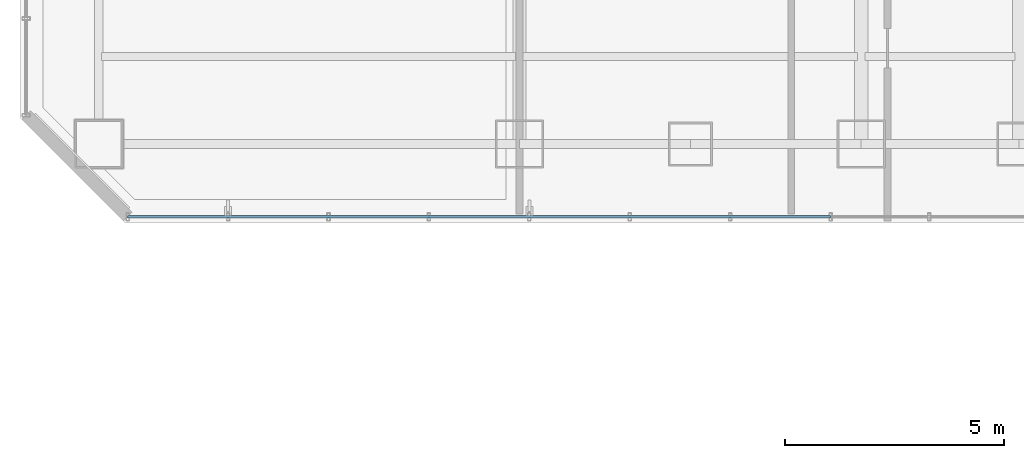
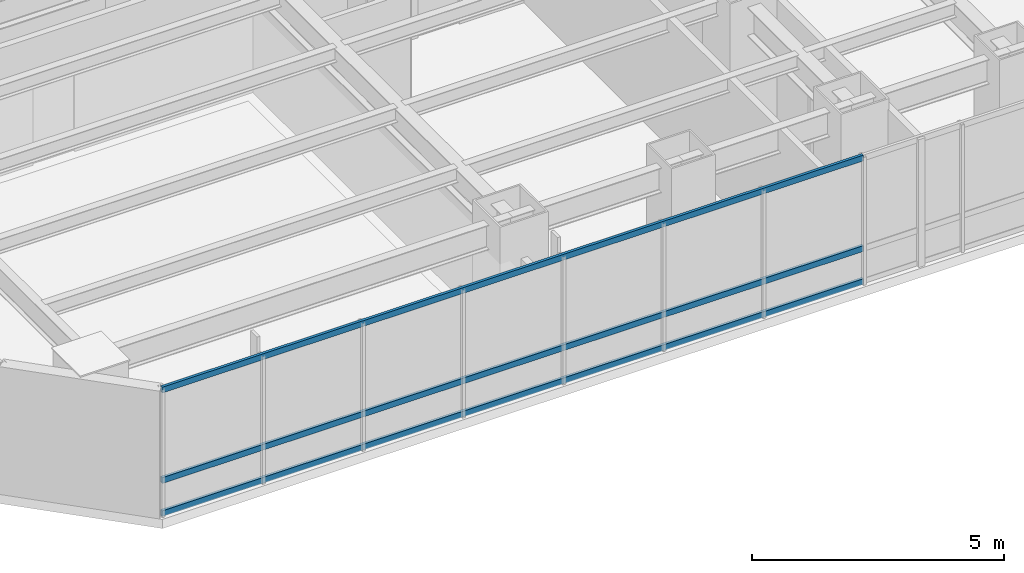
# One storey, part 3 of 39: 3 members, 1 element without a shape of its own.
"""IFC4 building model written with IfcOpenShell, lengths in metres."""

from ifc_helpers import new_model, si_unit, direction, frame, origin, origin_2d, place, context, subcontext, project, spatial, hollow_rectangle, extrude, material, layer, layer_set, material_profile, profile_set, type_object, element, aggregate, save


model = new_model("IFC4")

# Units and contexts
model_context = context("Model", 3, precision=1e-05, world=origin(), true_north=direction((0.0, 1.0)))
body_context = subcontext(model_context, "Body", "Model", "MODEL_VIEW")
ifc_project = project(units=[si_unit("LENGTHUNIT", "METRE"), si_unit("AREAUNIT", "SQUARE_METRE"), si_unit("VOLUMEUNIT", "CUBIC_METRE"), si_unit("PLANEANGLEUNIT", "RADIAN"), si_unit("MASSUNIT", "GRAM", prefix="KILO")], contexts=[model_context])

# Site, building, storey
site_placement = place(None, origin())
site = spatial("IfcSite", under=ifc_project, at=site_placement, CompositionType="ELEMENT")
building_placement = place(site_placement, origin())
building = spatial("IfcBuilding", under=site, at=building_placement, Name="Hatsunagi Terrace Concourse", CompositionType="ELEMENT")
storey_placement = place(building_placement, frame((0.0, 0.0, 66.75)))
storey = spatial("IfcBuildingStorey", under=building, at=storey_placement, Name="L17", CompositionType="ELEMENT", Elevation=66.75)

# Curtain wall, members
ifc_material_1 = material(Name="Anodised Aluminium Alloy 6063-T5", Category="aluminium")
ifc_layer = layer(ifc_material_1, 0.199951171875)
ifc_layer_set = layer_set([ifc_layer], Name="HotelFacade_CW02")
curtain_wall_type = type_object("IfcCurtainWallType", Name="HotelFacade_CW02", PredefinedType="NOTDEFINED", material=ifc_layer_set)
curtain_wall_placement = place(storey_placement, origin())
curtain_wall = element("IfcCurtainWall", 1, at=curtain_wall_placement, inside=storey, type_object=curtain_wall_type, Name="Unitised Curtain Wall CW-02 CW-L17-07", PredefinedType="NOTDEFINED")
ifc_material_2 = material(Name="Anodised Aluminium Alloy 6063-T5", Category="aluminium")
ifc_material_profile = material_profile(ifc_material_2, hollow_rectangle(XDim=0.06494140625, YDim=0.139892578125, WallThickness=0.00390625, at=origin_2d()), Name="ALU-TRN-140x65x4")
ifc_profile_set = profile_set([ifc_material_profile], Name="Anodised Aluminium Alloy 6063-T5")
member_type = type_object("IfcMemberType", Name="CurtainWallTransom_140x65", PredefinedType="USERDEFINED", material=ifc_profile_set)
member_1_placement = place(storey_placement, frame((18.5, 23.5400390625, 0.050048828125), z_axis=(-1.0, 0.0, 0.0), x_axis=(0.0, -1.0, 0.0)))
member_1 = element("IfcMember", 2, at=member_1_placement, type_object=member_type, Name="Curtain Wall Transom TRN-02", ObjectType="TRANSOM", PredefinedType="USERDEFINED", context=body_context, shape_type="SweptSolid", body=[
    extrude(hollow_rectangle(XDim=0.06494140625, YDim=0.139892578125, WallThickness=0.00390625, at=origin_2d()), origin(), (0.0, 0.0, 1.0), 16.0419921875),
])
member_2_placement = place(storey_placement, frame((18.5, 23.5400390625, 0.85009765625), z_axis=(-1.0, 0.0, 0.0), x_axis=(0.0, -1.0, 0.0)))
member_2 = element("IfcMember", 3, at=member_2_placement, type_object=member_type, Name="Curtain Wall Transom TRN-02", ObjectType="TRANSOM", PredefinedType="USERDEFINED", context=body_context, shape_type="SweptSolid", body=[
    extrude(hollow_rectangle(XDim=0.06494140625, YDim=0.139892578125, WallThickness=0.00390625, at=origin_2d()), origin(), (0.0, 0.0, 1.0), 16.0419921875),
])
member_3_placement = place(storey_placement, frame((18.5, 23.5400390625, 3.0400390625), z_axis=(-1.0, 0.0, 0.0), x_axis=(0.0, -1.0, 0.0)))
member_3 = element("IfcMember", 4, at=member_3_placement, type_object=member_type, Name="Curtain Wall Transom TRN-02", ObjectType="TRANSOM", PredefinedType="USERDEFINED", context=body_context, shape_type="SweptSolid", body=[
    extrude(hollow_rectangle(XDim=0.06494140625, YDim=0.139892578125, WallThickness=0.00390625, at=origin_2d()), origin(), (0.0, 0.0, 1.0), 16.0419921875),
])
aggregate(curtain_wall, [member_1, member_2, member_3])

save(model, "model.ifc")
